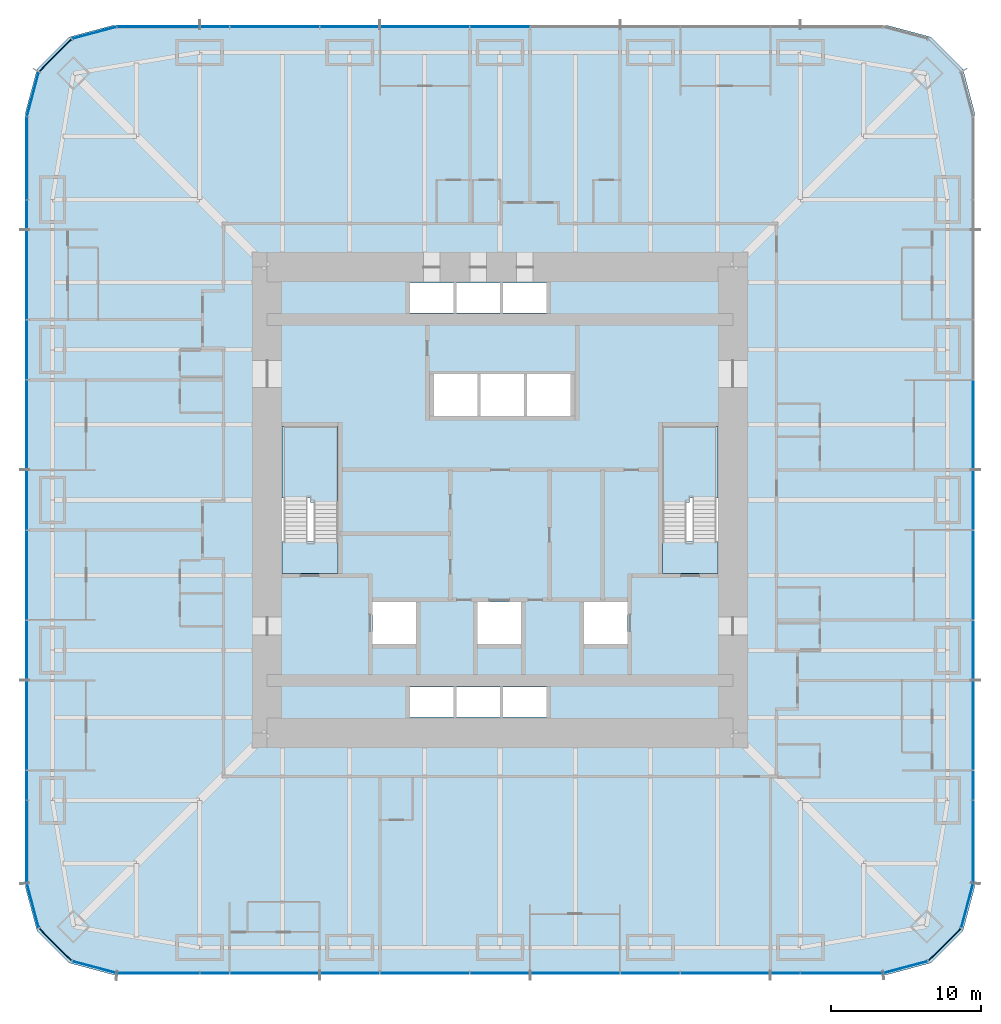
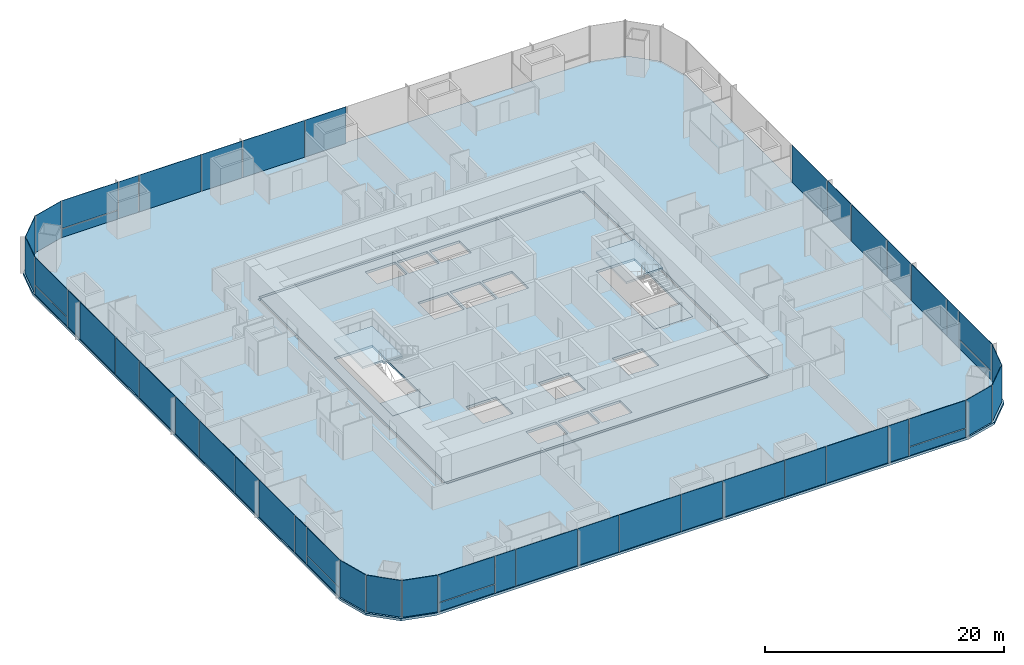
# One storey, part 10 of 17: 50 plates, 6 slabs, 9 elements without a shape of their own.
"""IFC4 building model written with IfcOpenShell, lengths in metres."""

from ifc_helpers import new_model, si_unit, direction, frame, origin, origin_2d, place, context, subcontext, project, spatial, polyline, rectangle, outline, extrude, material, layer, layer_set, type_object, element, aggregate, save


model = new_model("IFC4")

# Units and contexts
model_context = context("Model", 3, precision=1e-05, world=origin(), true_north=direction((0.0, 1.0)))
body_context = subcontext(model_context, "Body", "Model", "MODEL_VIEW")
ifc_project = project(units=[si_unit("LENGTHUNIT", "METRE"), si_unit("AREAUNIT", "SQUARE_METRE"), si_unit("VOLUMEUNIT", "CUBIC_METRE"), si_unit("PLANEANGLEUNIT", "RADIAN"), si_unit("MASSUNIT", "GRAM", prefix="KILO")], contexts=[model_context])

# Site, building, storey
site_placement = place(None, origin())
site = spatial("IfcSite", under=ifc_project, at=site_placement, CompositionType="ELEMENT")
building_placement = place(site_placement, origin())
building = spatial("IfcBuilding", under=site, at=building_placement, Name="Khuree Lantern Residences", CompositionType="ELEMENT")
storey_placement = place(building_placement, frame((0.0, 0.0, 51.0)))
storey = spatial("IfcBuildingStorey", under=building, at=storey_placement, Name="L12", CompositionType="ELEMENT", Elevation=51.0)

# Slab
ifc_material_1 = material(Name="Concrete C35/45", Category="concrete")
ifc_layer_1 = layer(ifc_material_1, 0.25)
ifc_layer_set_1 = layer_set([ifc_layer_1], Name="CFL250 CORE FLOOR SLAB 250")
slab_type_1 = type_object("IfcSlabType", Name="CFL250 CORE FLOOR SLAB 250", PredefinedType="FLOOR", material=ifc_layer_set_1)
slab_1_placement = place(storey_placement, frame((0.0, 0.0, -0.25)))
element("IfcSlab", 1, at=slab_1_placement, inside=storey, type_object=slab_type_1, Name="Core floor L12", PredefinedType="FLOOR", context=body_context, shape_type="SweptSolid", body=[
    extrude(outline(polyline([(-15.5, -15.5), (-15.5, 15.5), (15.5, 15.5), (15.5, -15.5), (-15.5, -15.5)]), holes=[polyline([(14.5, 4.89990234375), (10.800048828125, 4.89990234375), (10.800048828125, -4.89990234375), (14.5, -4.89990234375), (14.5, 4.89990234375)]), polyline([(8.5, -6.800048828125), (5.60009765625, -6.800048828125), (5.60009765625, -9.60009765625), (8.5, -9.60009765625), (8.5, -6.800048828125)]), polyline([(4.699951171875, 8.39990234375), (1.800048828125, 8.39990234375), (1.800048828125, 5.60009765625), (4.699951171875, 5.60009765625), (4.699951171875, 8.39990234375)]), polyline([(0.199951171875, -12.449951171875), (0.199951171875, -14.449951171875), (3.10009765625, -14.449951171875), (3.10009765625, -12.449951171875), (0.199951171875, -12.449951171875)]), polyline([(3.10009765625, 14.449951171875), (0.199951171875, 14.449951171875), (0.199951171875, 12.449951171875), (3.10009765625, 12.449951171875), (3.10009765625, 14.449951171875)]), polyline([(1.60009765625, 8.39990234375), (-1.300048828125, 8.39990234375), (-1.300048828125, 5.60009765625), (1.60009765625, 5.60009765625), (1.60009765625, 8.39990234375)]), polyline([(1.39990234375, -6.800048828125), (-1.5, -6.800048828125), (-1.5, -9.60009765625), (1.39990234375, -9.60009765625), (1.39990234375, -6.800048828125)]), polyline([(0.0, -12.449951171875), (-2.89990234375, -12.449951171875), (-2.89990234375, -14.449951171875), (0.0, -14.449951171875), (0.0, -12.449951171875)]), polyline([(0.0, 14.449951171875), (-2.89990234375, 14.449951171875), (-2.89990234375, 12.449951171875), (0.0, 12.449951171875), (0.0, 14.449951171875)]), polyline([(-1.5, 8.39990234375), (-4.39990234375, 8.39990234375), (-4.39990234375, 5.60009765625), (-1.5, 5.60009765625), (-1.5, 8.39990234375)]), polyline([(-6.0, -12.449951171875), (-6.0, -14.449951171875), (-3.10009765625, -14.449951171875), (-3.10009765625, -12.449951171875), (-6.0, -12.449951171875)]), polyline([(-3.10009765625, 14.449951171875), (-6.0, 14.449951171875), (-6.0, 12.449951171875), (-3.10009765625, 12.449951171875), (-3.10009765625, 14.449951171875)]), polyline([(-5.60009765625, -6.800048828125), (-8.5, -6.800048828125), (-8.5, -9.60009765625), (-5.60009765625, -9.60009765625), (-5.60009765625, -6.800048828125)]), polyline([(-10.800048828125, 4.89990234375), (-14.5, 4.89990234375), (-14.5, -4.89990234375), (-10.800048828125, -4.89990234375), (-10.800048828125, 4.89990234375)])]), origin(), (0.0, 0.0, 1.0), 0.25),
])

# Curtain wall, plates
ifc_material_2 = material(Name="Bronze anodised aluminium", Category="aluminium")
curtain_wall_type_1 = type_object("IfcCurtainWallType", Name="CW-T2 TOWER CORNER CURTAIN WALL", PredefinedType="USERDEFINED", material=ifc_material_2)
curtain_wall_1_placement = place(storey_placement, origin())
curtain_wall_1 = element("IfcCurtainWall", 2, at=curtain_wall_1_placement, inside=storey, type_object=curtain_wall_type_1, Name="L12 SOUTH-EAST CORNER CURTAIN WALL", ObjectType="Faceted corner curtain wall", PredefinedType="USERDEFINED")
ifc_material_3 = material(Name="Bronze tinted triple glazing", Category="glass")
ifc_layer_2 = layer(ifc_material_3, 0.048095703125)
ifc_layer_set_2 = layer_set([ifc_layer_2], Name="FACET PANEL P4")
plate_type_1 = type_object("IfcPlateType", Name="FACET PANEL P4", PredefinedType="CURTAIN_PANEL", material=ifc_layer_set_2)
plate_1_placement = place(storey_placement, frame((26.998046875, -31.0986328125, 0.0), z_axis=(0.0, 0.0, 1.0), x_axis=(0.965925792265, 0.258819172081, 0.0)))
plate_1 = element("IfcPlate", 3, at=plate_1_placement, type_object=plate_type_1, Name="L12 SOUTH-EAST CORNER PANEL 1.1", PredefinedType="CURTAIN_PANEL", context=body_context, shape_type="SweptSolid", body=[
    extrude(rectangle(XDim=3.02978515625, YDim=0.048095703125, at=origin_2d()), origin(), (0.0, 0.0, 1.0), 3.75),
])
plate_2_placement = place(storey_placement, frame((29.59814453125, -29.59814453125, 0.0), z_axis=(0.0, 0.0, 1.0), x_axis=(0.707106781187, 0.707106781187, 0.0)))
plate_2 = element("IfcPlate", 4, at=plate_2_placement, type_object=plate_type_1, Name="L12 SOUTH-EAST CORNER PANEL 2.1", PredefinedType="CURTAIN_PANEL", context=body_context, shape_type="SweptSolid", body=[
    extrude(rectangle(XDim=3.025634765625, YDim=0.048095703125, at=origin_2d()), origin(), (0.0, 0.0, 1.0), 3.75),
])
plate_3_placement = place(storey_placement, frame((31.0986328125, -26.998046875, 0.0), z_axis=(0.0, 0.0, 1.0), x_axis=(0.258819172081, 0.965925792265, 0.0)))
plate_3 = element("IfcPlate", 5, at=plate_3_placement, type_object=plate_type_1, Name="L12 SOUTH-EAST CORNER PANEL 3.1", PredefinedType="CURTAIN_PANEL", context=body_context, shape_type="SweptSolid", body=[
    extrude(rectangle(XDim=3.02978515625, YDim=0.048095703125, at=origin_2d()), origin(), (0.0, 0.0, 1.0), 3.75),
])
aggregate(curtain_wall_1, [plate_1, plate_2, plate_3])

curtain_wall_2_placement = place(storey_placement, origin())
curtain_wall_2 = element("IfcCurtainWall", 6, at=curtain_wall_2_placement, inside=storey, type_object=curtain_wall_type_1, Name="L12 NORTH-WEST CORNER CURTAIN WALL", ObjectType="Faceted corner curtain wall", PredefinedType="USERDEFINED")
plate_4_placement = place(storey_placement, frame((-26.998046875, 31.0986328125, 0.0), z_axis=(0.0, 0.0, 1.0), x_axis=(-0.965925792265, -0.258819172081, 0.0)))
plate_4 = element("IfcPlate", 7, at=plate_4_placement, type_object=plate_type_1, Name="L12 NORTH-WEST CORNER PANEL 29.1", PredefinedType="CURTAIN_PANEL", context=body_context, shape_type="SweptSolid", body=[
    extrude(rectangle(XDim=3.02978515625, YDim=0.048095703125, at=origin_2d()), origin(), (0.0, 0.0, 1.0), 3.75),
])
plate_5_placement = place(storey_placement, frame((-29.59814453125, 29.59814453125, 0.0), z_axis=(0.0, 0.0, 1.0), x_axis=(-0.707106781187, -0.707106781187, 0.0)))
plate_5 = element("IfcPlate", 8, at=plate_5_placement, type_object=plate_type_1, Name="L12 NORTH-WEST CORNER PANEL 30.1", PredefinedType="CURTAIN_PANEL", context=body_context, shape_type="SweptSolid", body=[
    extrude(rectangle(XDim=3.025634765625, YDim=0.048095703125, at=origin_2d()), origin(), (0.0, 0.0, 1.0), 3.75),
])
plate_6_placement = place(storey_placement, frame((-31.0986328125, 26.998046875, 0.0), z_axis=(0.0, 0.0, 1.0), x_axis=(-0.258819172081, -0.965925792265, 0.0)))
plate_6 = element("IfcPlate", 9, at=plate_6_placement, type_object=plate_type_1, Name="L12 NORTH-WEST CORNER PANEL 31.1", PredefinedType="CURTAIN_PANEL", context=body_context, shape_type="SweptSolid", body=[
    extrude(rectangle(XDim=3.02978515625, YDim=0.048095703125, at=origin_2d()), origin(), (0.0, 0.0, 1.0), 3.75),
])
aggregate(curtain_wall_2, [plate_4, plate_5, plate_6])

curtain_wall_3_placement = place(storey_placement, origin())
curtain_wall_3 = element("IfcCurtainWall", 10, at=curtain_wall_3_placement, inside=storey, type_object=curtain_wall_type_1, Name="L12 SOUTH-WEST CORNER CURTAIN WALL", ObjectType="Faceted corner curtain wall", PredefinedType="USERDEFINED")
plate_7_placement = place(storey_placement, frame((-31.0986328125, -26.998046875, 0.0), z_axis=(0.0, 0.0, 1.0), x_axis=(0.258819172081, -0.965925792265, 0.0)))
plate_7 = element("IfcPlate", 11, at=plate_7_placement, type_object=plate_type_1, Name="L12 SOUTH-WEST CORNER PANEL 43.1", PredefinedType="CURTAIN_PANEL", context=body_context, shape_type="SweptSolid", body=[
    extrude(rectangle(XDim=3.02978515625, YDim=0.048095703125, at=origin_2d()), origin(), (0.0, 0.0, 1.0), 3.75),
])
plate_8_placement = place(storey_placement, frame((-29.59814453125, -29.59814453125, 0.0), z_axis=(0.0, 0.0, 1.0), x_axis=(0.707106781187, -0.707106781187, 0.0)))
plate_8 = element("IfcPlate", 12, at=plate_8_placement, type_object=plate_type_1, Name="L12 SOUTH-WEST CORNER PANEL 44.1", PredefinedType="CURTAIN_PANEL", context=body_context, shape_type="SweptSolid", body=[
    extrude(rectangle(XDim=3.025634765625, YDim=0.048095703125, at=origin_2d()), origin(), (0.0, 0.0, 1.0), 3.75),
])
plate_9_placement = place(storey_placement, frame((-26.998046875, -31.0986328125, 0.0), z_axis=(0.0, 0.0, 1.0), x_axis=(0.965925792265, -0.258819172081, 0.0)))
plate_9 = element("IfcPlate", 13, at=plate_9_placement, type_object=plate_type_1, Name="L12 SOUTH-WEST CORNER PANEL 45.1", PredefinedType="CURTAIN_PANEL", context=body_context, shape_type="SweptSolid", body=[
    extrude(rectangle(XDim=3.02978515625, YDim=0.048095703125, at=origin_2d()), origin(), (0.0, 0.0, 1.0), 3.75),
])
aggregate(curtain_wall_3, [plate_7, plate_8, plate_9])

curtain_wall_type_2 = type_object("IfcCurtainWallType", Name="CW-T1 TOWER FACE CURTAIN WALL", PredefinedType="USERDEFINED", material=ifc_material_2)
curtain_wall_4_placement = place(storey_placement, origin())
curtain_wall_4 = element("IfcCurtainWall", 14, at=curtain_wall_4_placement, inside=storey, type_object=curtain_wall_type_2, Name="L12 EAST FACE CURTAIN WALL", ObjectType="Stick-built curtain wall", PredefinedType="USERDEFINED")
ifc_material_4 = material(Name="Bronze tinted triple glazing with a ceramic-fritted spandrel band", Category="glass")
ifc_layer_3 = layer(ifc_material_4, 0.048095703125)
ifc_layer_set_3 = layer_set([ifc_layer_3], Name="FIXED LIGHT PANEL P11")
plate_type_2 = type_object("IfcPlateType", Name="FIXED LIGHT PANEL P11", PredefinedType="CURTAIN_PANEL", material=ifc_layer_set_3)
plate_10_placement = place(storey_placement, frame((31.5, -15.0, 0.0), z_axis=(0.0, 0.0, 1.0), x_axis=(0.0, 1.0, 0.0)))
plate_10 = element("IfcPlate", 15, at=plate_10_placement, type_object=plate_type_2, Name="L12 EAST FACE PANEL 6.1", PredefinedType="CURTAIN_PANEL", context=body_context, shape_type="SweptSolid", body=[
    extrude(rectangle(XDim=5.93505859375, YDim=0.048095703125, at=origin_2d()), origin(), (0.0, 0.0, 1.0), 3.75),
])
plate_11_placement = place(storey_placement, frame((31.5, -5.0, 0.0), z_axis=(0.0, 0.0, 1.0), x_axis=(0.0, 1.0, 0.0)))
plate_11 = element("IfcPlate", 16, at=plate_11_placement, type_object=plate_type_2, Name="L12 EAST FACE PANEL 8.1", PredefinedType="CURTAIN_PANEL", context=body_context, shape_type="SweptSolid", body=[
    extrude(rectangle(XDim=5.93505859375, YDim=0.048095703125, at=origin_2d()), origin(), (0.0, 0.0, 1.0), 3.75),
])
plate_12_placement = place(storey_placement, frame((31.5, 5.0, 0.0), z_axis=(0.0, 0.0, 1.0), x_axis=(0.0, 1.0, 0.0)))
plate_12 = element("IfcPlate", 17, at=plate_12_placement, type_object=plate_type_2, Name="L12 EAST FACE PANEL 10.1", PredefinedType="CURTAIN_PANEL", context=body_context, shape_type="SweptSolid", body=[
    extrude(rectangle(XDim=5.93505859375, YDim=0.048095703125, at=origin_2d()), origin(), (0.0, 0.0, 1.0), 3.75),
])

curtain_wall_5_placement = place(storey_placement, origin())
curtain_wall_5 = element("IfcCurtainWall", 18, at=curtain_wall_5_placement, inside=storey, type_object=curtain_wall_type_2, Name="L12 NORTH FACE CURTAIN WALL", ObjectType="Stick-built curtain wall", PredefinedType="USERDEFINED")
plate_13_placement = place(storey_placement, frame((-5.0, 31.5, 0.0), z_axis=(0.0, 0.0, 1.0), x_axis=(-1.0, 0.0, 0.0)))
plate_13 = element("IfcPlate", 19, at=plate_13_placement, type_object=plate_type_2, Name="L12 NORTH FACE PANEL 24.1", PredefinedType="CURTAIN_PANEL", context=body_context, shape_type="SweptSolid", body=[
    extrude(rectangle(XDim=5.93505859375, YDim=0.048095703125, at=origin_2d()), origin(), (0.0, 0.0, 1.0), 3.75),
])
plate_14_placement = place(storey_placement, frame((-15.0, 31.5, 0.0), z_axis=(0.0, 0.0, 1.0), x_axis=(-1.0, 0.0, 0.0)))
plate_14 = element("IfcPlate", 20, at=plate_14_placement, type_object=plate_type_2, Name="L12 NORTH FACE PANEL 26.1", PredefinedType="CURTAIN_PANEL", context=body_context, shape_type="SweptSolid", body=[
    extrude(rectangle(XDim=5.93505859375, YDim=0.048095703125, at=origin_2d()), origin(), (0.0, 0.0, 1.0), 3.75),
])

curtain_wall_6_placement = place(storey_placement, origin())
curtain_wall_6 = element("IfcCurtainWall", 21, at=curtain_wall_6_placement, inside=storey, type_object=curtain_wall_type_2, Name="L12 WEST FACE CURTAIN WALL", ObjectType="Stick-built curtain wall", PredefinedType="USERDEFINED")
plate_15_placement = place(storey_placement, frame((-31.5, 15.0, 0.0), z_axis=(0.0, 0.0, 1.0), x_axis=(0.0, -1.0, 0.0)))
plate_15 = element("IfcPlate", 22, at=plate_15_placement, type_object=plate_type_2, Name="L12 WEST FACE PANEL 34.1", PredefinedType="CURTAIN_PANEL", context=body_context, shape_type="SweptSolid", body=[
    extrude(rectangle(XDim=5.93505859375, YDim=0.048095703125, at=origin_2d()), origin(), (0.0, 0.0, 1.0), 3.75),
])
plate_16_placement = place(storey_placement, frame((-31.5, 5.0, 0.0), z_axis=(0.0, 0.0, 1.0), x_axis=(0.0, -1.0, 0.0)))
plate_16 = element("IfcPlate", 23, at=plate_16_placement, type_object=plate_type_2, Name="L12 WEST FACE PANEL 36.1", PredefinedType="CURTAIN_PANEL", context=body_context, shape_type="SweptSolid", body=[
    extrude(rectangle(XDim=5.93505859375, YDim=0.048095703125, at=origin_2d()), origin(), (0.0, 0.0, 1.0), 3.75),
])
plate_17_placement = place(storey_placement, frame((-31.5, -5.0, 0.0), z_axis=(0.0, 0.0, 1.0), x_axis=(0.0, -1.0, 0.0)))
plate_17 = element("IfcPlate", 24, at=plate_17_placement, type_object=plate_type_2, Name="L12 WEST FACE PANEL 38.1", PredefinedType="CURTAIN_PANEL", context=body_context, shape_type="SweptSolid", body=[
    extrude(rectangle(XDim=5.93505859375, YDim=0.048095703125, at=origin_2d()), origin(), (0.0, 0.0, 1.0), 3.75),
])
plate_18_placement = place(storey_placement, frame((-31.5, -15.0, 0.0), z_axis=(0.0, 0.0, 1.0), x_axis=(0.0, -1.0, 0.0)))
plate_18 = element("IfcPlate", 25, at=plate_18_placement, type_object=plate_type_2, Name="L12 WEST FACE PANEL 40.1", PredefinedType="CURTAIN_PANEL", context=body_context, shape_type="SweptSolid", body=[
    extrude(rectangle(XDim=5.93505859375, YDim=0.048095703125, at=origin_2d()), origin(), (0.0, 0.0, 1.0), 3.75),
])

curtain_wall_7_placement = place(storey_placement, origin())
curtain_wall_7 = element("IfcCurtainWall", 26, at=curtain_wall_7_placement, inside=storey, type_object=curtain_wall_type_2, Name="L12 SOUTH FACE CURTAIN WALL", ObjectType="Stick-built curtain wall", PredefinedType="USERDEFINED")
plate_19_placement = place(storey_placement, frame((-15.0, -31.5, 0.0), z_axis=(0.0, 0.0, 1.0), x_axis=(1.0, 0.0, 0.0)))
plate_19 = element("IfcPlate", 27, at=plate_19_placement, type_object=plate_type_2, Name="L12 SOUTH FACE PANEL 48.1", PredefinedType="CURTAIN_PANEL", context=body_context, shape_type="SweptSolid", body=[
    extrude(rectangle(XDim=5.93505859375, YDim=0.048095703125, at=origin_2d()), origin(), (0.0, 0.0, 1.0), 3.75),
])
plate_20_placement = place(storey_placement, frame((-5.0, -31.5, 0.0), z_axis=(0.0, 0.0, 1.0), x_axis=(1.0, 0.0, 0.0)))
plate_20 = element("IfcPlate", 28, at=plate_20_placement, type_object=plate_type_2, Name="L12 SOUTH FACE PANEL 50.1", PredefinedType="CURTAIN_PANEL", context=body_context, shape_type="SweptSolid", body=[
    extrude(rectangle(XDim=5.93505859375, YDim=0.048095703125, at=origin_2d()), origin(), (0.0, 0.0, 1.0), 3.75),
])
plate_21_placement = place(storey_placement, frame((5.0, -31.5, 0.0), z_axis=(0.0, 0.0, 1.0), x_axis=(1.0, 0.0, 0.0)))
plate_21 = element("IfcPlate", 29, at=plate_21_placement, type_object=plate_type_2, Name="L12 SOUTH FACE PANEL 52.1", PredefinedType="CURTAIN_PANEL", context=body_context, shape_type="SweptSolid", body=[
    extrude(rectangle(XDim=5.93505859375, YDim=0.048095703125, at=origin_2d()), origin(), (0.0, 0.0, 1.0), 3.75),
])
plate_22_placement = place(storey_placement, frame((15.0, -31.5, 0.0), z_axis=(0.0, 0.0, 1.0), x_axis=(1.0, 0.0, 0.0)))
plate_22 = element("IfcPlate", 30, at=plate_22_placement, type_object=plate_type_2, Name="L12 SOUTH FACE PANEL 54.1", PredefinedType="CURTAIN_PANEL", context=body_context, shape_type="SweptSolid", body=[
    extrude(rectangle(XDim=5.93505859375, YDim=0.048095703125, at=origin_2d()), origin(), (0.0, 0.0, 1.0), 3.75),
])

# Slab
ifc_layer_4 = layer(ifc_material_1, 0.25)
ifc_layer_set_4 = layer_set([ifc_layer_4], Name="FS250 FLOOR SLAB 250")
slab_type_2 = type_object("IfcSlabType", Name="FS250 FLOOR SLAB 250", PredefinedType="FLOOR", material=ifc_layer_set_4)
slab_2_placement = place(storey_placement, frame((0.0, 0.0, -0.25)))
element("IfcSlab", 31, at=slab_2_placement, inside=storey, type_object=slab_type_2, Name="Floor slab L12", PredefinedType="FLOOR", context=body_context, shape_type="SweptSolid", body=[
    extrude(outline(polyline([(-28.675048828125, -30.816162109375), (-30.816162109375, -28.675048828125), (-31.60009765625, -25.75), (-31.60009765625, 25.75), (-30.816162109375, 28.675048828125), (-28.675048828125, 30.816162109375), (-25.75, 31.60009765625), (25.75, 31.60009765625), (28.675048828125, 30.816162109375), (30.816162109375, 28.675048828125), (31.60009765625, 25.75), (31.60009765625, -25.75), (30.816162109375, -28.675048828125), (28.675048828125, -30.816162109375), (25.75, -31.60009765625), (-25.75, -31.60009765625), (-28.675048828125, -30.816162109375)]), holes=[polyline([(15.75, 15.5), (15.5, 15.5), (15.5, 15.75), (-15.5, 15.75), (-15.5, 15.5), (-15.75, 15.5), (-15.75, -15.5), (-15.5, -15.5), (-15.5, -15.75), (15.5, -15.75), (15.5, -15.5), (15.75, -15.5), (15.75, 15.5)])]), origin(), (0.0, 0.0, 1.0), 0.25),
])

# Plate
ifc_material_5 = material(Name="Bronze tinted triple glazing, two aluminium-framed sashes in one frame", Category="aluminium")
ifc_layer_5 = layer(ifc_material_5, 0.048095703125)
ifc_layer_set_5 = layer_set([ifc_layer_5], Name="SASH PAIR PANEL P12")
plate_type_3 = type_object("IfcPlateType", Name="SASH PAIR PANEL P12", PredefinedType="CURTAIN_PANEL", material=ifc_layer_set_5)
plate_23_placement = place(storey_placement, frame((31.5, -10.0, 0.0), z_axis=(0.0, 0.0, 1.0), x_axis=(0.0, 1.0, 0.0)))
plate_23 = element("IfcPlate", 32, at=plate_23_placement, type_object=plate_type_3, Name="L12 EAST FACE PANEL 7.1", PredefinedType="CURTAIN_PANEL", context=body_context, shape_type="SweptSolid", body=[
    extrude(rectangle(XDim=3.93505859375, YDim=0.048095703125, at=origin_2d()), origin(), (0.0, 0.0, 1.0), 3.75),
])

plate_24_placement = place(storey_placement, frame((31.5, 0.0, 0.0), z_axis=(0.0, 0.0, 1.0), x_axis=(0.0, 1.0, 0.0)))
plate_24 = element("IfcPlate", 33, at=plate_24_placement, type_object=plate_type_3, Name="L12 EAST FACE PANEL 9.1", PredefinedType="CURTAIN_PANEL", context=body_context, shape_type="SweptSolid", body=[
    extrude(rectangle(XDim=3.93505859375, YDim=0.048095703125, at=origin_2d()), origin(), (0.0, 0.0, 1.0), 3.75),
])

plate_25_placement = place(storey_placement, frame((0.0, 31.5, 0.0), z_axis=(0.0, 0.0, 1.0), x_axis=(-1.0, 0.0, 0.0)))
plate_25 = element("IfcPlate", 34, at=plate_25_placement, type_object=plate_type_3, Name="L12 NORTH FACE PANEL 23.1", PredefinedType="CURTAIN_PANEL", context=body_context, shape_type="SweptSolid", body=[
    extrude(rectangle(XDim=3.93505859375, YDim=0.048095703125, at=origin_2d()), origin(), (0.0, 0.0, 1.0), 3.75),
])

plate_26_placement = place(storey_placement, frame((-10.0, 31.5, 0.0), z_axis=(0.0, 0.0, 1.0), x_axis=(-1.0, 0.0, 0.0)))
plate_26 = element("IfcPlate", 35, at=plate_26_placement, type_object=plate_type_3, Name="L12 NORTH FACE PANEL 25.1", PredefinedType="CURTAIN_PANEL", context=body_context, shape_type="SweptSolid", body=[
    extrude(rectangle(XDim=3.93505859375, YDim=0.048095703125, at=origin_2d()), origin(), (0.0, 0.0, 1.0), 3.75),
])

plate_27_placement = place(storey_placement, frame((-31.5, 10.0, 0.0), z_axis=(0.0, 0.0, 1.0), x_axis=(0.0, -1.0, 0.0)))
plate_27 = element("IfcPlate", 36, at=plate_27_placement, type_object=plate_type_3, Name="L12 WEST FACE PANEL 35.1", PredefinedType="CURTAIN_PANEL", context=body_context, shape_type="SweptSolid", body=[
    extrude(rectangle(XDim=3.93505859375, YDim=0.048095703125, at=origin_2d()), origin(), (0.0, 0.0, 1.0), 3.75),
])

plate_28_placement = place(storey_placement, frame((-31.5, 0.0, 0.0), z_axis=(0.0, 0.0, 1.0), x_axis=(0.0, -1.0, 0.0)))
plate_28 = element("IfcPlate", 37, at=plate_28_placement, type_object=plate_type_3, Name="L12 WEST FACE PANEL 37.1", PredefinedType="CURTAIN_PANEL", context=body_context, shape_type="SweptSolid", body=[
    extrude(rectangle(XDim=3.93505859375, YDim=0.048095703125, at=origin_2d()), origin(), (0.0, 0.0, 1.0), 3.75),
])

plate_29_placement = place(storey_placement, frame((-31.5, -10.0, 0.0), z_axis=(0.0, 0.0, 1.0), x_axis=(0.0, -1.0, 0.0)))
plate_29 = element("IfcPlate", 38, at=plate_29_placement, type_object=plate_type_3, Name="L12 WEST FACE PANEL 39.1", PredefinedType="CURTAIN_PANEL", context=body_context, shape_type="SweptSolid", body=[
    extrude(rectangle(XDim=3.93505859375, YDim=0.048095703125, at=origin_2d()), origin(), (0.0, 0.0, 1.0), 3.75),
])

plate_30_placement = place(storey_placement, frame((-10.0, -31.5, 0.0), z_axis=(0.0, 0.0, 1.0), x_axis=(1.0, 0.0, 0.0)))
plate_30 = element("IfcPlate", 39, at=plate_30_placement, type_object=plate_type_3, Name="L12 SOUTH FACE PANEL 49.1", PredefinedType="CURTAIN_PANEL", context=body_context, shape_type="SweptSolid", body=[
    extrude(rectangle(XDim=3.93505859375, YDim=0.048095703125, at=origin_2d()), origin(), (0.0, 0.0, 1.0), 3.75),
])

plate_31_placement = place(storey_placement, frame((0.0, -31.5, 0.0), z_axis=(0.0, 0.0, 1.0), x_axis=(1.0, 0.0, 0.0)))
plate_31 = element("IfcPlate", 40, at=plate_31_placement, type_object=plate_type_3, Name="L12 SOUTH FACE PANEL 51.1", PredefinedType="CURTAIN_PANEL", context=body_context, shape_type="SweptSolid", body=[
    extrude(rectangle(XDim=3.93505859375, YDim=0.048095703125, at=origin_2d()), origin(), (0.0, 0.0, 1.0), 3.75),
])

plate_32_placement = place(storey_placement, frame((10.0, -31.5, 0.0), z_axis=(0.0, 0.0, 1.0), x_axis=(1.0, 0.0, 0.0)))
plate_32 = element("IfcPlate", 41, at=plate_32_placement, type_object=plate_type_3, Name="L12 SOUTH FACE PANEL 53.1", PredefinedType="CURTAIN_PANEL", context=body_context, shape_type="SweptSolid", body=[
    extrude(rectangle(XDim=3.93505859375, YDim=0.048095703125, at=origin_2d()), origin(), (0.0, 0.0, 1.0), 3.75),
])

ifc_material_6 = material(Name="Bronze tinted triple glazing, aluminium-framed sash", Category="aluminium")
ifc_layer_6 = layer(ifc_material_6, 0.048095703125)
ifc_layer_set_6 = layer_set([ifc_layer_6], Name="SASH PANEL P3")
plate_type_4 = type_object("IfcPlateType", Name="SASH PANEL P3", PredefinedType="CURTAIN_PANEL", material=ifc_layer_set_6)
plate_33_placement = place(storey_placement, frame((31.5, -19.0, 0.0), z_axis=(0.0, 0.0, 1.0), x_axis=(0.0, 1.0, 0.0)))
plate_33 = element("IfcPlate", 42, at=plate_33_placement, type_object=plate_type_4, Name="L12 EAST FACE PANEL 5.1", PredefinedType="CURTAIN_PANEL", context=body_context, shape_type="SweptSolid", body=[
    extrude(rectangle(XDim=1.93505859375, YDim=0.048095703125, at=origin_2d()), origin(), (0.0, 0.0, 1.0), 3.75),
])

plate_34_placement = place(storey_placement, frame((-19.0, 31.5, 0.0), z_axis=(0.0, 0.0, 1.0), x_axis=(-1.0, 0.0, 0.0)))
plate_34 = element("IfcPlate", 43, at=plate_34_placement, type_object=plate_type_4, Name="L12 NORTH FACE PANEL 27.1", PredefinedType="CURTAIN_PANEL", context=body_context, shape_type="SweptSolid", body=[
    extrude(rectangle(XDim=1.93505859375, YDim=0.048095703125, at=origin_2d()), origin(), (0.0, 0.0, 1.0), 3.75),
])

plate_35_placement = place(storey_placement, frame((-31.5, 19.0, 0.0), z_axis=(0.0, 0.0, 1.0), x_axis=(0.0, -1.0, 0.0)))
plate_35 = element("IfcPlate", 44, at=plate_35_placement, type_object=plate_type_4, Name="L12 WEST FACE PANEL 33.1", PredefinedType="CURTAIN_PANEL", context=body_context, shape_type="SweptSolid", body=[
    extrude(rectangle(XDim=1.93505859375, YDim=0.048095703125, at=origin_2d()), origin(), (0.0, 0.0, 1.0), 3.75),
])

plate_36_placement = place(storey_placement, frame((-31.5, -19.0, 0.0), z_axis=(0.0, 0.0, 1.0), x_axis=(0.0, -1.0, 0.0)))
plate_36 = element("IfcPlate", 45, at=plate_36_placement, type_object=plate_type_4, Name="L12 WEST FACE PANEL 41.1", PredefinedType="CURTAIN_PANEL", context=body_context, shape_type="SweptSolid", body=[
    extrude(rectangle(XDim=1.93505859375, YDim=0.048095703125, at=origin_2d()), origin(), (0.0, 0.0, 1.0), 3.75),
])

plate_37_placement = place(storey_placement, frame((-19.0, -31.5, 0.0), z_axis=(0.0, 0.0, 1.0), x_axis=(1.0, 0.0, 0.0)))
plate_37 = element("IfcPlate", 46, at=plate_37_placement, type_object=plate_type_4, Name="L12 SOUTH FACE PANEL 47.1", PredefinedType="CURTAIN_PANEL", context=body_context, shape_type="SweptSolid", body=[
    extrude(rectangle(XDim=1.93505859375, YDim=0.048095703125, at=origin_2d()), origin(), (0.0, 0.0, 1.0), 3.75),
])

plate_38_placement = place(storey_placement, frame((19.0, -31.5, 0.0), z_axis=(0.0, 0.0, 1.0), x_axis=(1.0, 0.0, 0.0)))
plate_38 = element("IfcPlate", 47, at=plate_38_placement, type_object=plate_type_4, Name="L12 SOUTH FACE PANEL 55.1", PredefinedType="CURTAIN_PANEL", context=body_context, shape_type="SweptSolid", body=[
    extrude(rectangle(XDim=1.93505859375, YDim=0.048095703125, at=origin_2d()), origin(), (0.0, 0.0, 1.0), 3.75),
])

ifc_material_7 = material(Name="Bronze anodised aluminium insulated spandrel", Category="aluminium")
ifc_layer_7 = layer(ifc_material_7, 0.06005859375)
ifc_layer_set_7 = layer_set([ifc_layer_7], Name="SPANDREL PANEL P2")
plate_type_5 = type_object("IfcPlateType", Name="SPANDREL PANEL P2", PredefinedType="CURTAIN_PANEL", material=ifc_layer_set_7)
plate_39_placement = place(storey_placement, frame((31.5, -22.747802734375, 0.0), z_axis=(0.0, 0.0, 1.0), x_axis=(0.0, 1.0, 0.0)))
plate_39 = element("IfcPlate", 48, at=plate_39_placement, type_object=plate_type_5, Name="L12 EAST FACE PANEL 4.1", PredefinedType="CURTAIN_PANEL", context=body_context, shape_type="SweptSolid", body=[
    extrude(rectangle(XDim=5.4306640625, YDim=0.06005859375, at=origin_2d()), origin(), (0.0, 0.0, 1.0), 0.867431640625),
])

plate_40_placement = place(storey_placement, frame((-22.747802734375, 31.5, 0.0), z_axis=(0.0, 0.0, 1.0), x_axis=(-1.0, 0.0, 0.0)))
plate_40 = element("IfcPlate", 49, at=plate_40_placement, type_object=plate_type_5, Name="L12 NORTH FACE PANEL 28.1", PredefinedType="CURTAIN_PANEL", context=body_context, shape_type="SweptSolid", body=[
    extrude(rectangle(XDim=5.4306640625, YDim=0.06005859375, at=origin_2d()), origin(), (0.0, 0.0, 1.0), 0.867431640625),
])

plate_41_placement = place(storey_placement, frame((-31.5, 22.747802734375, 0.0), z_axis=(0.0, 0.0, 1.0), x_axis=(0.0, -1.0, 0.0)))
plate_41 = element("IfcPlate", 50, at=plate_41_placement, type_object=plate_type_5, Name="L12 WEST FACE PANEL 32.1", PredefinedType="CURTAIN_PANEL", context=body_context, shape_type="SweptSolid", body=[
    extrude(rectangle(XDim=5.4306640625, YDim=0.06005859375, at=origin_2d()), origin(), (0.0, 0.0, 1.0), 0.867431640625),
])

plate_42_placement = place(storey_placement, frame((-31.5, -22.747802734375, 0.0), z_axis=(0.0, 0.0, 1.0), x_axis=(0.0, -1.0, 0.0)))
plate_42 = element("IfcPlate", 51, at=plate_42_placement, type_object=plate_type_5, Name="L12 WEST FACE PANEL 42.1", PredefinedType="CURTAIN_PANEL", context=body_context, shape_type="SweptSolid", body=[
    extrude(rectangle(XDim=5.4306640625, YDim=0.06005859375, at=origin_2d()), origin(), (0.0, 0.0, 1.0), 0.867431640625),
])

plate_43_placement = place(storey_placement, frame((-22.747802734375, -31.5, 0.0), z_axis=(0.0, 0.0, 1.0), x_axis=(1.0, 0.0, 0.0)))
plate_43 = element("IfcPlate", 52, at=plate_43_placement, type_object=plate_type_5, Name="L12 SOUTH FACE PANEL 46.1", PredefinedType="CURTAIN_PANEL", context=body_context, shape_type="SweptSolid", body=[
    extrude(rectangle(XDim=5.4306640625, YDim=0.06005859375, at=origin_2d()), origin(), (0.0, 0.0, 1.0), 0.867431640625),
])

plate_44_placement = place(storey_placement, frame((22.747802734375, -31.5, 0.0), z_axis=(0.0, 0.0, 1.0), x_axis=(1.0, 0.0, 0.0)))
plate_44 = element("IfcPlate", 53, at=plate_44_placement, type_object=plate_type_5, Name="L12 SOUTH FACE PANEL 56.1", PredefinedType="CURTAIN_PANEL", context=body_context, shape_type="SweptSolid", body=[
    extrude(rectangle(XDim=5.4306640625, YDim=0.06005859375, at=origin_2d()), origin(), (0.0, 0.0, 1.0), 0.867431640625),
])

# Stair, slabs
ifc_material_8 = material(Name="Concrete C40/50", Category="concrete")
stair_type = type_object("IfcStairType", Name="STAIR ST1 HALF TURN 3600", PredefinedType="HALF_TURN_STAIR", material=ifc_material_8)
stair_1_placement = place(storey_placement, origin())
stair_1 = element("IfcStair", 54, at=stair_1_placement, inside=storey, type_object=stair_type, Name="Stair ST1", PredefinedType="HALF_TURN_STAIR")
ifc_layer_8 = layer(ifc_material_8, 0.199951171875)
ifc_layer_set_8 = layer_set([ifc_layer_8], Name="STAIR LANDING SL1 200")
slab_type_3 = type_object("IfcSlabType", Name="STAIR LANDING SL1 200", PredefinedType="LANDING", material=ifc_layer_set_8)
slab_3_placement = place(storey_placement, frame((0.0, 0.0, -0.199951171875)))
slab_3 = element("IfcSlab", 55, at=slab_3_placement, type_object=slab_type_3, Name="ST1 landing 1", PredefinedType="LANDING", context=body_context, shape_type="SweptSolid", body=[
    extrude(outline(polyline([(-14.5, -4.89990234375), (-10.800048828125, -4.89990234375), (-10.800048828125, -2.760009765625), (-14.5, -2.760009765625), (-14.5, -4.89990234375)])), origin(), (0.0, 0.0, 1.0), 0.199951171875),
])
slab_4_placement = place(storey_placement, frame((0.0, 0.0, 1.756591796875)))
slab_4 = element("IfcSlab", 56, at=slab_4_placement, type_object=slab_type_3, Name="ST1 landing 2", PredefinedType="LANDING", context=body_context, shape_type="SweptSolid", body=[
    extrude(outline(polyline([(-14.5, 0.1201171875), (-14.5, 4.89990234375), (-10.800048828125, 4.89990234375), (-10.800048828125, -0.159912109375), (-12.60009765625, -0.159912109375), (-12.60009765625, 0.1201171875), (-14.5, 0.1201171875)])), origin(), (0.0, 0.0, 1.0), 0.199951171875),
])
aggregate(stair_1, [slab_3, slab_4])

stair_2_placement = place(storey_placement, origin())
stair_2 = element("IfcStair", 57, at=stair_2_placement, inside=storey, type_object=stair_type, Name="Stair ST2", PredefinedType="HALF_TURN_STAIR")
slab_5_placement = place(storey_placement, frame((0.0, 0.0, -0.199951171875)))
slab_5 = element("IfcSlab", 58, at=slab_5_placement, type_object=slab_type_3, Name="ST2 landing 1", PredefinedType="LANDING", context=body_context, shape_type="SweptSolid", body=[
    extrude(outline(polyline([(10.800048828125, -4.89990234375), (14.5, -4.89990234375), (14.5, -2.760009765625), (10.800048828125, -2.760009765625), (10.800048828125, -4.89990234375)])), origin(), (0.0, 0.0, 1.0), 0.199951171875),
])
slab_6_placement = place(storey_placement, frame((0.0, 0.0, 1.756591796875)))
slab_6 = element("IfcSlab", 59, at=slab_6_placement, type_object=slab_type_3, Name="ST2 landing 2", PredefinedType="LANDING", context=body_context, shape_type="SweptSolid", body=[
    extrude(outline(polyline([(14.5, 4.89990234375), (14.5, 0.1201171875), (12.60009765625, 0.1201171875), (12.60009765625, -0.159912109375), (10.800048828125, -0.159912109375), (10.800048828125, 4.89990234375), (14.5, 4.89990234375)])), origin(), (0.0, 0.0, 1.0), 0.199951171875),
])
aggregate(stair_2, [slab_5, slab_6])

# Plate
ifc_layer_9 = layer(ifc_material_3, 0.048095703125)
ifc_layer_set_9 = layer_set([ifc_layer_9], Name="VISION PANEL P1")
plate_type_6 = type_object("IfcPlateType", Name="VISION PANEL P1", PredefinedType="CURTAIN_PANEL", material=ifc_layer_set_9)
plate_45_placement = place(storey_placement, frame((31.5, -22.748291015625, 0.9326171875), z_axis=(0.0, 0.0, 1.0), x_axis=(0.0, 1.0, 0.0)))
plate_45 = element("IfcPlate", 60, at=plate_45_placement, type_object=plate_type_6, Name="L12 EAST FACE PANEL 4.2", PredefinedType="CURTAIN_PANEL", context=body_context, shape_type="SweptSolid", body=[
    extrude(rectangle(XDim=5.431640625, YDim=0.048095703125, at=origin_2d()), origin(), (0.0, 0.0, 1.0), 2.8173828125),
])

aggregate(curtain_wall_4, [plate_39, plate_45, plate_33, plate_10, plate_23, plate_11, plate_24, plate_12])

plate_46_placement = place(storey_placement, frame((-22.748291015625, 31.5, 0.9326171875), z_axis=(0.0, 0.0, 1.0), x_axis=(-1.0, 0.0, 0.0)))
plate_46 = element("IfcPlate", 61, at=plate_46_placement, type_object=plate_type_6, Name="L12 NORTH FACE PANEL 28.2", PredefinedType="CURTAIN_PANEL", context=body_context, shape_type="SweptSolid", body=[
    extrude(rectangle(XDim=5.431640625, YDim=0.048095703125, at=origin_2d()), origin(), (0.0, 0.0, 1.0), 2.8173828125),
])

aggregate(curtain_wall_5, [plate_25, plate_13, plate_26, plate_14, plate_34, plate_40, plate_46])

plate_47_placement = place(storey_placement, frame((-31.5, 22.748291015625, 0.9326171875), z_axis=(0.0, 0.0, 1.0), x_axis=(0.0, -1.0, 0.0)))
plate_47 = element("IfcPlate", 62, at=plate_47_placement, type_object=plate_type_6, Name="L12 WEST FACE PANEL 32.2", PredefinedType="CURTAIN_PANEL", context=body_context, shape_type="SweptSolid", body=[
    extrude(rectangle(XDim=5.431640625, YDim=0.048095703125, at=origin_2d()), origin(), (0.0, 0.0, 1.0), 2.8173828125),
])

plate_48_placement = place(storey_placement, frame((-31.5, -22.748291015625, 0.9326171875), z_axis=(0.0, 0.0, 1.0), x_axis=(0.0, -1.0, 0.0)))
plate_48 = element("IfcPlate", 63, at=plate_48_placement, type_object=plate_type_6, Name="L12 WEST FACE PANEL 42.2", PredefinedType="CURTAIN_PANEL", context=body_context, shape_type="SweptSolid", body=[
    extrude(rectangle(XDim=5.431640625, YDim=0.048095703125, at=origin_2d()), origin(), (0.0, 0.0, 1.0), 2.8173828125),
])

aggregate(curtain_wall_6, [plate_41, plate_47, plate_35, plate_15, plate_27, plate_16, plate_28, plate_17, plate_29, plate_18, plate_36, plate_42, plate_48])

plate_49_placement = place(storey_placement, frame((-22.748291015625, -31.5, 0.9326171875), z_axis=(0.0, 0.0, 1.0), x_axis=(1.0, 0.0, 0.0)))
plate_49 = element("IfcPlate", 64, at=plate_49_placement, type_object=plate_type_6, Name="L12 SOUTH FACE PANEL 46.2", PredefinedType="CURTAIN_PANEL", context=body_context, shape_type="SweptSolid", body=[
    extrude(rectangle(XDim=5.431640625, YDim=0.048095703125, at=origin_2d()), origin(), (0.0, 0.0, 1.0), 2.8173828125),
])

plate_50_placement = place(storey_placement, frame((22.748291015625, -31.5, 0.9326171875), z_axis=(0.0, 0.0, 1.0), x_axis=(1.0, 0.0, 0.0)))
plate_50 = element("IfcPlate", 65, at=plate_50_placement, type_object=plate_type_6, Name="L12 SOUTH FACE PANEL 56.2", PredefinedType="CURTAIN_PANEL", context=body_context, shape_type="SweptSolid", body=[
    extrude(rectangle(XDim=5.431640625, YDim=0.048095703125, at=origin_2d()), origin(), (0.0, 0.0, 1.0), 2.8173828125),
])

aggregate(curtain_wall_7, [plate_43, plate_49, plate_37, plate_19, plate_30, plate_20, plate_31, plate_21, plate_32, plate_22, plate_38, plate_44, plate_50])

save(model, "model.ifc")
